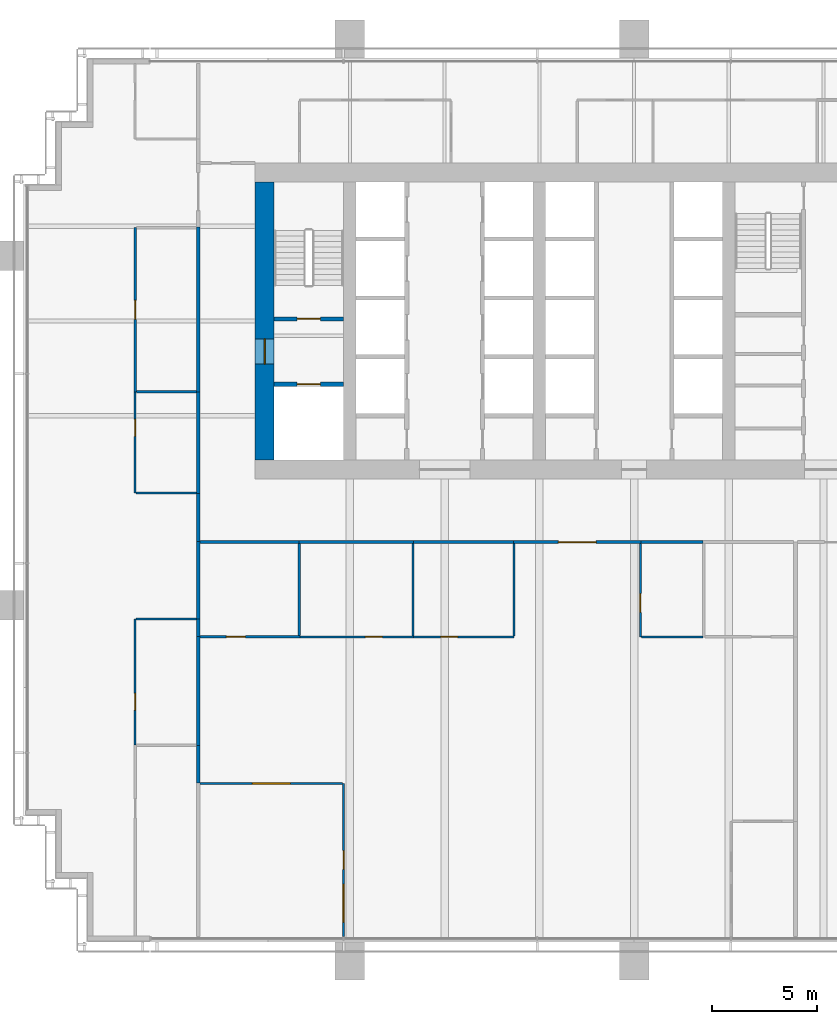
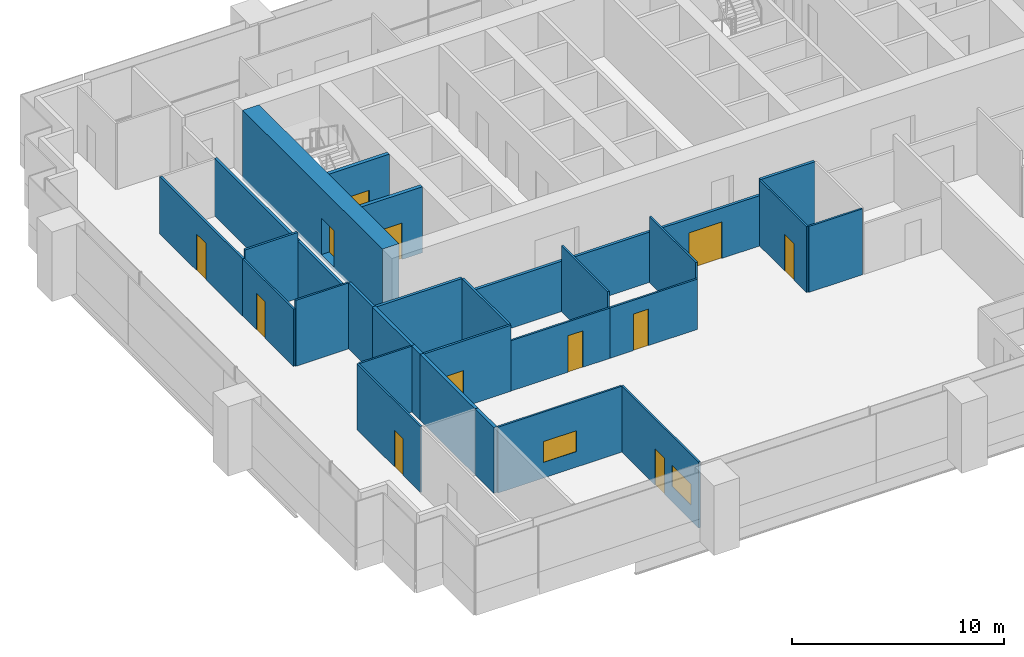
# One storey, part 10 of 18: 31 walls, 12 doors, 2 windows, 14 openings.
"""IFC4 building model written with IfcOpenShell, lengths in metres."""

import ifcopenshell
import ifcopenshell.guid

model = None  # the IFC model being written
_history = None  # IfcOwnerHistory: only IFC2X3 demands one
_inside = {}  # id of a spatial element -> (the spatial element, [elements in it])
_under = {}  # id of a project, library or spatial element -> (it, [spatial elements below it])
_declared = {}  # id of a project -> (the project, [libraries it declares])
_typed = {}  # id of a type object -> (the type object, [elements of that type])
_made_of = {}  # id of a material, layer set ... -> (it, [elements and type objects made of it])


def new_model(schema):
    """Start an empty IFC model of exactly this schema.

    Asked for "IFC4X3", IfcOpenShell would pick the latest addendum, in which some entities
    have other attributes; the version numbers below select the first issue.
    IFC2X3 requires an IfcOwnerHistory on every rooted entity: one is made here for all.
    """
    global model, _history
    if schema == "IFC4X3":
        model = ifcopenshell.file(schema_version=(4, 3, 0, 0))
    else:
        model = ifcopenshell.file(schema=schema)
    _inside.clear()
    _under.clear()
    _declared.clear()
    _typed.clear()
    _made_of.clear()
    _history = None
    if model.schema == "IFC2X3":
        org = make("IfcOrganization", Name="unknown")
        user = make(
            "IfcPersonAndOrganization",
            ThePerson=make("IfcPerson", FamilyName="unknown"),
            TheOrganization=org,
        )
        app = make(
            "IfcApplication",
            ApplicationDeveloper=org,
            Version="unknown",
            ApplicationFullName="unknown",
            ApplicationIdentifier="unknown",
        )
        _history = make(
            "IfcOwnerHistory",
            OwningUser=user,
            OwningApplication=app,
            ChangeAction="ADDED",
            CreationDate=0,
        )
    return model


def make(cls, **values):
    """One entity of the class cls with the attributes given. An attribute that is None is left unset."""
    return model.create_entity(
        cls, **{name: value for name, value in values.items() if value is not None}
    )


def rooted(cls, **values):
    """An entity with a GlobalId (a new one), such as an element, a storey or a relation."""
    return make(cls, GlobalId=ifcopenshell.guid.new(), OwnerHistory=_history, **values)


def si_unit(unit_type, name, prefix=None):
    """IfcSIUnit, for example si_unit("LENGTHUNIT", "METRE", prefix="MILLI")."""
    return make("IfcSIUnit", UnitType=unit_type, Prefix=prefix, Name=name)


def assignment(units):
    """IfcUnitAssignment: the units of a project."""
    return None if units is None else make("IfcUnitAssignment", Units=units)


def point(xyz):
    """IfcCartesianPoint."""
    return None if xyz is None else make("IfcCartesianPoint", Coordinates=xyz)


def direction(xyz):
    """IfcDirection."""
    return None if xyz is None else make("IfcDirection", DirectionRatios=xyz)


def frame(location, z_axis=None, x_axis=None):
    """IfcAxis2Placement3D, a coordinate frame: its origin and axes. An axis left out is left unset."""
    return make(
        "IfcAxis2Placement3D",
        Location=point(location),
        Axis=direction(z_axis),
        RefDirection=direction(x_axis),
    )


def frame_2d(location, x_axis=None):
    """IfcAxis2Placement2D, a coordinate frame in the plane: its origin and x axis."""
    return make(
        "IfcAxis2Placement2D", Location=point(location), RefDirection=direction(x_axis)
    )


def origin():
    """The frame at (0, 0, 0) with its axes left unset."""
    return frame((0.0, 0.0, 0.0))


def place(relative_to, where):
    """IfcLocalPlacement: puts the frame where relative to a parent placement (None: the world)."""
    return make(
        "IfcLocalPlacement", PlacementRelTo=relative_to, RelativePlacement=where
    )


def context(
    kind, dimensions, precision=None, world=None, true_north=None, identifier=None
):
    """IfcGeometricRepresentationContext, for example the 3D "Model" context."""
    return make(
        "IfcGeometricRepresentationContext",
        ContextIdentifier=identifier,
        ContextType=kind,
        CoordinateSpaceDimension=dimensions,
        Precision=precision,
        WorldCoordinateSystem=world,
        TrueNorth=true_north,
    )


def subcontext(parent, identifier, kind, view, scale=None):
    """IfcGeometricRepresentationSubContext, for example "Body" below "Model"."""
    return make(
        "IfcGeometricRepresentationSubContext",
        ContextIdentifier=identifier,
        ContextType=kind,
        ParentContext=parent,
        TargetScale=scale,
        TargetView=view,
    )


def project(units=None, contexts=None):
    """IfcProject with its units and contexts."""
    return rooted(
        "IfcProject",
        Name="project",
        RepresentationContexts=contexts,
        UnitsInContext=assignment(units),
    )


def spatial(cls, under=None, at=None, **own):
    """A site, building, storey or space (cls), placed at a placement, below another one or the project."""
    s = rooted(cls, ObjectPlacement=at, **own)
    if under is not None:
        _under.setdefault(under.id(), (under, []))[1].append(s)
    return s


def profile(cls, at=None, kind="AREA", **sizes):
    """A parametric profile (cls). Its sizes go by their IFC names, for example OverallWidth=200.0."""
    return make(cls, ProfileType=kind, Position=at, **sizes)


def rectangle(**sizes):
    """IfcRectangleProfileDef."""
    return profile("IfcRectangleProfileDef", **sizes)


def extrude(swept, where, along, depth):
    """IfcExtrudedAreaSolid: the profile swept, set in the frame where, extruded along a direction by depth."""
    return make(
        "IfcExtrudedAreaSolid",
        SweptArea=swept,
        Position=where,
        ExtrudedDirection=direction(along),
        Depth=depth,
    )


def shape(context_of_items, identifier, shape_type, items):
    """IfcShapeRepresentation: the items that make up one representation, for example the "Body"."""
    return make(
        "IfcShapeRepresentation",
        ContextOfItems=context_of_items,
        RepresentationIdentifier=identifier,
        RepresentationType=shape_type,
        Items=items,
    )


def material(Name=None, Category=None):
    """IfcMaterial."""
    return make("IfcMaterial", Name=Name, Category=Category)


def layer(
    of_material, thickness, ventilated=None, Name=None, Category=None, Priority=None
):
    """IfcMaterialLayer: one layer of a wall or slab, of a material (None: an air gap)."""
    return make(
        "IfcMaterialLayer",
        Material=of_material,
        LayerThickness=thickness,
        IsVentilated=ventilated,
        Name=Name,
        Category=Category,
        Priority=Priority,
    )


def layer_set(layers, Name=None):
    """IfcMaterialLayerSet."""
    return make("IfcMaterialLayerSet", MaterialLayers=layers, LayerSetName=Name)


def made_of(thing, what):
    """Note that an element or type object is made of a material, layer set ...; save() writes the relation."""
    if what is not None:
        _made_of.setdefault(what.id(), (what, []))[1].append(thing)
    return thing


def type_object(cls, material=None, **own):
    """A type object (cls), such as IfcWallType, which elements share."""
    return made_of(rooted(cls, **own), material)


def element(
    cls,
    number,
    at=None,
    inside=None,
    cuts=None,
    type_object=None,
    material=None,
    context=None,
    identifier="Body",
    shape_type=None,
    held_by="IfcProductDefinitionShape",
    body=None,
    shapes=None,
    **own,
):
    """One element of the class cls, such as IfcWall. Its Tag is "e" and its number.

    at: its placement. inside: the storey or other place that contains it. cuts: it is an
    opening in that element (IfcRelVoidsElement). A single representation is given by context,
    identifier, shape_type and body (its items); several are given by shapes. held_by: the class
    of the entity that holds the representations. save() writes the other relations.
    """
    e = rooted(cls, Tag="e%d" % number, ObjectPlacement=at, **own)
    if body is not None:
        shapes = [shape(context, identifier, shape_type, body)]
    if shapes is not None:
        e.Representation = make(held_by, Representations=shapes)
    if inside is not None:
        _inside.setdefault(inside.id(), (inside, []))[1].append(e)
    if cuts is not None:
        rooted(
            "IfcRelVoidsElement", RelatingBuildingElement=cuts, RelatedOpeningElement=e
        )
    if type_object is not None:
        _typed.setdefault(type_object.id(), (type_object, []))[1].append(e)
    return made_of(e, material)


def fill(opening, filler):
    """IfcRelFillsElement: the door or window that sits in an opening."""
    return rooted(
        "IfcRelFillsElement",
        RelatingOpeningElement=opening,
        RelatedBuildingElement=filler,
    )


def aggregate(whole, parts):
    """IfcRelAggregates: a whole, such as a stair, and the parts it consists of."""
    return rooted("IfcRelAggregates", RelatingObject=whole, RelatedObjects=parts)


def save(model, path):
    """Write the relations noted so far, then the file.

    IfcRelAggregates (storeys below a building ...), IfcRelContainedInSpatialStructure (elements
    in a storey), IfcRelDefinesByType, IfcRelAssociatesMaterial and IfcRelDeclares: one each for
    every whole, place, type object, material and project.
    """
    for whole, parts in _under.values():
        aggregate(whole, parts)
    for where, things in _inside.values():
        rooted(
            "IfcRelContainedInSpatialStructure",
            RelatedElements=things,
            RelatingStructure=where,
        )
    for kind, things in _typed.values():
        rooted("IfcRelDefinesByType", RelatedObjects=things, RelatingType=kind)
    for what, things in _made_of.values():
        rooted("IfcRelAssociatesMaterial", RelatedObjects=things, RelatingMaterial=what)
    for by, libraries in _declared.values():
        rooted("IfcRelDeclares", RelatingContext=by, RelatedDefinitions=libraries)
    model.write(path)


model = new_model("IFC4")

# Units and contexts
model_context = context("Model", 3, precision=1e-05, world=origin(), true_north=direction((0.0, 1.0)))
body_context = subcontext(model_context, "Body", "Model", "MODEL_VIEW")
ifc_project = project(units=[si_unit("LENGTHUNIT", "METRE"), si_unit("AREAUNIT", "SQUARE_METRE"), si_unit("VOLUMEUNIT", "CUBIC_METRE"), si_unit("PLANEANGLEUNIT", "RADIAN"), si_unit("MASSUNIT", "GRAM", prefix="KILO")], contexts=[model_context])

# Site, building, storey
site_placement = place(None, origin())
site = spatial("IfcSite", under=ifc_project, at=site_placement, CompositionType="ELEMENT")
building_placement = place(site_placement, origin())
building = spatial("IfcBuilding", under=site, at=building_placement, Name="Rattan Terrace Tower", CompositionType="ELEMENT")
storey_placement = place(building_placement, frame((0.0, 0.0, 134.10009765625)))
storey = spatial("IfcBuildingStorey", under=building, at=storey_placement, Name="L30", CompositionType="ELEMENT", Elevation=134.10009765625)

# Wall, opening, door
ifc_material_1 = material(Name="Gypsum board partition")
ifc_layer_1 = layer(ifc_material_1, 0.199951171875)
ifc_layer_set_1 = layer_set([ifc_layer_1], Name="Core partition 200")
wall_type_1 = type_object("IfcWallType", Name="Core partition 200", PredefinedType="PARTITIONING", material=ifc_layer_set_1)
wall_1_placement = place(storey_placement, frame((-17.10009765625, -3.0, 0.0), z_axis=(0.0, 0.0, 1.0), x_axis=(1.0, 0.0, 0.0)))
wall_1 = element("IfcWall", 1, at=wall_1_placement, inside=storey, type_object=wall_type_1, Name="Fire-fighting lobby wall", PredefinedType="PARTITIONING", context=body_context, shape_type="SweptSolid", body=[
    extrude(rectangle(XDim=3.300048828125, YDim=0.199951171875, at=frame_2d((1.64990234375, 0.0))), origin(), (0.0, 0.0, 1.0), 3.7998046875),
])
opening_1_placement = place(wall_1_placement, frame((1.10009765625, 0.0, 0.0)))
opening_1 = element("IfcOpeningElement", 2, at=opening_1_placement, cuts=wall_1, Name="Opening L30-LD-FF1", PredefinedType="OPENING", context=body_context, shape_type="SweptSolid", body=[
    extrude(rectangle(XDim=1.10009765625, YDim=2.10009765625, at=frame_2d((0.550048828125, 1.050048828125))), frame((0.0, 0.110595703125, 0.0), z_axis=(0.0, -1.0, 0.0), x_axis=(1.0, 0.0, 0.0)), (0.0, 0.0, 1.0), 0.220947265625),
])
ifc_material_2 = material(Name="Brushed stainless landing door panel")
door_type_1 = type_object("IfcDoorType", Name="Core lift landing door 1100", OperationType="DOUBLE_DOOR_SLIDING", PredefinedType="DOOR", material=ifc_material_2)
door_1_placement = place(opening_1_placement, origin())
door_1 = element("IfcDoor", 3, at=door_1_placement, inside=storey, type_object=door_type_1, Name="Door L30-LD-FF1", OperationType="DOUBLE_DOOR_SLIDING", OverallHeight=2.10009765625, OverallWidth=1.10009765625, PredefinedType="DOOR", context=body_context, shape_type="SweptSolid", body=[
    extrude(rectangle(XDim=1.10009765625, YDim=2.10009765625, at=frame_2d((0.550048828125, 1.050048828125))), frame((0.0, 0.02490234375, 0.0), z_axis=(0.0, -1.0, 0.0), x_axis=(1.0, 0.0, 0.0)), (0.0, 0.0, 1.0), 0.050048828125),
])
fill(opening_1, door_1)

wall_2_placement = place(storey_placement, frame((-17.10009765625, 0.10009765625, 0.0), z_axis=(0.0, 0.0, 1.0), x_axis=(1.0, 0.0, 0.0)))
wall_2 = element("IfcWall", 4, at=wall_2_placement, inside=storey, type_object=wall_type_1, Name="Stair enclosure wall", PredefinedType="PARTITIONING", context=body_context, shape_type="SweptSolid", body=[
    extrude(rectangle(XDim=3.300048828125, YDim=0.199951171875, at=frame_2d((1.64990234375, 0.0))), origin(), (0.0, 0.0, 1.0), 3.7998046875),
])
opening_2_placement = place(wall_2_placement, frame((1.10009765625, 0.0, 0.0)))
opening_2 = element("IfcOpeningElement", 5, at=opening_2_placement, cuts=wall_2, Name="Opening L30-D002", PredefinedType="OPENING", context=body_context, shape_type="SweptSolid", body=[
    extrude(rectangle(XDim=1.10009765625, YDim=2.10009765625, at=frame_2d((0.550048828125, 1.050048828125))), frame((0.0, 0.110595703125, 0.0), z_axis=(0.0, -1.0, 0.0), x_axis=(1.0, 0.0, 0.0)), (0.0, 0.0, 1.0), 0.220947265625),
])
ifc_material_3 = material(Name="Hollow-metal fire door leaf")
door_type_2 = type_object("IfcDoorType", Name="Core stair door 1100", OperationType="NOTDEFINED", PredefinedType="DOOR", material=ifc_material_3)
door_2_placement = place(opening_2_placement, origin())
door_2 = element("IfcDoor", 6, at=door_2_placement, inside=storey, type_object=door_type_2, Name="Door L30-D002", OperationType="SINGLE_SWING_RIGHT", OverallHeight=2.10009765625, OverallWidth=1.10009765625, PredefinedType="DOOR", context=body_context, shape_type="SweptSolid", body=[
    extrude(rectangle(XDim=1.10009765625, YDim=2.10009765625, at=frame_2d((0.550048828125, 1.050048828125))), frame((0.0, 0.02490234375, 0.0), z_axis=(0.0, -1.0, 0.0), x_axis=(1.0, 0.0, 0.0)), (0.0, 0.0, 1.0), 0.050048828125),
])
fill(opening_2, door_2)

ifc_material_4 = material(Name="Concrete C60/75", Category="concrete")
ifc_layer_2 = layer(ifc_material_4, 0.89990234375)
ifc_layer_set_2 = layer_set([ifc_layer_2], Name="Core ring wall 900 C60/75")
wall_type_2 = type_object("IfcWallType", Name="Core ring wall 900 C60/75", PredefinedType="SHEAR", material=ifc_layer_set_2)
wall_3_placement = place(storey_placement, frame((-17.550048828125, -6.60009765625, -0.2001953125), z_axis=(0.0, 0.0, 1.0), x_axis=(0.0, 1.0, 0.0)))
wall_3 = element("IfcWall", 7, at=wall_3_placement, inside=storey, type_object=wall_type_2, Name="Rear core wall west", PredefinedType="SHEAR", context=body_context, shape_type="SweptSolid", body=[
    extrude(rectangle(XDim=13.2001953125, YDim=0.89990234375, at=frame_2d((6.60009765625, 0.0))), origin(), (0.0, 0.0, 1.0), 4.0),
])
opening_3_placement = place(wall_3_placement, frame((4.550048828125, 0.0, 0.199951171875)))
opening_3 = element("IfcOpeningElement", 8, at=opening_3_placement, cuts=wall_3, Name="Opening L30-D001", PredefinedType="OPENING", context=body_context, shape_type="SweptSolid", body=[
    extrude(rectangle(XDim=1.199951171875, YDim=2.10009765625, at=frame_2d((0.60009765625, 1.050048828125))), frame((0.0, 0.46044921875, 0.0), z_axis=(0.0, -1.0, 0.0), x_axis=(1.0, 0.0, 0.0)), (0.0, 0.0, 1.0), 0.9208984375),
])
ifc_material_5 = material(Name="Hollow-metal fire door leaf")
door_type_3 = type_object("IfcDoorType", Name="Core fire-fighting lobby door 1200", OperationType="NOTDEFINED", PredefinedType="DOOR", material=ifc_material_5)
door_3_placement = place(opening_3_placement, origin())
door_3 = element("IfcDoor", 9, at=door_3_placement, inside=storey, type_object=door_type_3, Name="Door L30-D001", OperationType="SINGLE_SWING_LEFT", OverallHeight=2.10009765625, OverallWidth=1.199951171875, PredefinedType="DOOR", context=body_context, shape_type="SweptSolid", body=[
    extrude(rectangle(XDim=1.199951171875, YDim=2.10009765625, at=frame_2d((0.60009765625, 1.050048828125))), frame((0.0, 0.02490234375, 0.0), z_axis=(0.0, -1.0, 0.0), x_axis=(1.0, 0.0, 0.0)), (0.0, 0.0, 1.0), 0.050048828125),
])
fill(opening_3, door_3)

# Walls
ifc_material_6 = material(Name="Double steel stud acoustic partition, gypsum board, mineral wool, fire rated", Category="steel")
ifc_layer_3 = layer(ifc_material_6, 0.179931640625)
ifc_layer_set_3 = layer_set([ifc_layer_3], Name="Floors Acoustic Party Wall 180")
wall_type_3 = type_object("IfcWallType", Name="Floors Acoustic Party Wall 180", PredefinedType="PARTITIONING", material=ifc_layer_set_3)
wall_4_placement = place(storey_placement, frame((-20.699951171875, -10.47998046875, 0.0), z_axis=(0.0, 0.0, 1.0), x_axis=(0.0, -1.0, 0.0)))
element("IfcWall", 10, at=wall_4_placement, inside=storey, type_object=wall_type_3, Name="pt-L30-029", PredefinedType="PARTITIONING", context=body_context, shape_type="SweptSolid", body=[
    extrude(rectangle(XDim=3.679931640625, YDim=0.179931640625, at=frame_2d((1.83984375, 0.0))), origin(), (0.0, 0.0, 1.0), 3.7998046875),
])
wall_5_placement = place(storey_placement, frame((-20.699951171875, -20.159912109375, 0.0), z_axis=(0.0, 0.0, 1.0), x_axis=(0.0, -1.0, 0.0)))
element("IfcWall", 11, at=wall_5_placement, inside=storey, type_object=wall_type_3, Name="pt-L30-032", PredefinedType="PARTITIONING", context=body_context, shape_type="SweptSolid", body=[
    extrude(rectangle(XDim=1.780029296875, YDim=0.179931640625, at=frame_2d((0.89013671875, 0.0))), origin(), (0.0, 0.0, 1.0), 3.7998046875),
])
wall_6_placement = place(storey_placement, frame((-20.699951171875, -14.97998046875, 0.0), z_axis=(0.0, 0.0, 1.0), x_axis=(0.0, -1.0, 0.0)))
element("IfcWall", 12, at=wall_6_placement, inside=storey, type_object=wall_type_3, Name="pt-L30-034", PredefinedType="PARTITIONING", context=body_context, shape_type="SweptSolid", body=[
    extrude(rectangle(XDim=5.179931640625, YDim=0.179931640625, at=frame_2d((2.58984375, 0.0))), origin(), (0.0, 0.0, 1.0), 3.7998046875),
])
wall_7_placement = place(storey_placement, frame((-20.699951171875, -14.159912109375, 0.0), z_axis=(0.0, 0.0, 1.0), x_axis=(0.0, -1.0, 0.0)))
element("IfcWall", 13, at=wall_7_placement, inside=storey, type_object=wall_type_3, Name="pt-L30-035", PredefinedType="PARTITIONING", context=body_context, shape_type="SweptSolid", body=[
    extrude(rectangle(XDim=0.820068359375, YDim=0.179931640625, at=frame_2d((0.41015625, 0.0))), origin(), (0.0, 0.0, 1.0), 3.7998046875),
])

# Wall, opening, door
ifc_material_7 = material(Name="Gypsum board partition on steel studs", Category="steel")
ifc_layer_4 = layer(ifc_material_7, 0.10009765625)
ifc_layer_set_4 = layer_set([ifc_layer_4], Name="Floors Partition 100")
wall_type_4 = type_object("IfcWallType", Name="Floors Partition 100", PredefinedType="PARTITIONING", material=ifc_layer_set_4)
wall_8_placement = place(storey_placement, frame((-23.699951171875, -14.159912109375, 0.0), z_axis=(0.0, 0.0, 1.0), x_axis=(0.0, -1.0, 0.0)))
wall_8 = element("IfcWall", 14, at=wall_8_placement, inside=storey, type_object=wall_type_4, Name="pt-L30-021", PredefinedType="PARTITIONING", context=body_context, shape_type="SweptSolid", body=[
    extrude(rectangle(XDim=5.97998046875, YDim=0.10009765625, at=frame_2d((2.989990234375, 0.0))), origin(), (0.0, 0.0, 1.0), 3.7998046875),
])
opening_4_placement = place(wall_8_placement, frame((3.52587890625, 0.0, 0.0)))
opening_4 = element("IfcOpeningElement", 15, at=opening_4_placement, cuts=wall_8, Name="Opening L30-D102", PredefinedType="OPENING", context=body_context, shape_type="SweptSolid", body=[
    extrude(rectangle(XDim=0.800048828125, YDim=2.10009765625, at=frame_2d((0.39990234375, 1.050048828125))), frame((0.0, 0.060546875, 0.0), z_axis=(0.0, -1.0, 0.0), x_axis=(1.0, 0.0, 0.0)), (0.0, 0.0, 1.0), 0.12109375),
])
ifc_material_8 = material(Name="Solid core timber door, painted", Category="wood")
door_type_4 = type_object("IfcDoorType", Name="Floors Store Door 800x2100", OperationType="NOTDEFINED", PredefinedType="DOOR", material=ifc_material_8)
door_4_placement = place(opening_4_placement, origin())
door_4 = element("IfcDoor", 16, at=door_4_placement, inside=storey, type_object=door_type_4, Name="d-L30-102", OperationType="SINGLE_SWING_RIGHT", OverallHeight=2.10009765625, OverallWidth=0.800048828125, PredefinedType="DOOR", context=body_context, shape_type="SweptSolid", body=[
    extrude(rectangle(XDim=0.800048828125, YDim=2.10009765625, at=frame_2d((0.39990234375, 1.050048828125))), frame((0.0, 0.02490234375, 0.0), z_axis=(0.0, -1.0, 0.0), x_axis=(1.0, 0.0, 0.0)), (0.0, 0.0, 1.0), 0.050048828125),
])
fill(opening_4, door_4)

# Wall
wall_9_placement = place(storey_placement, frame((-20.7900390625, -14.159912109375, 0.0), z_axis=(0.0, 0.0, 1.0), x_axis=(-1.0, 0.0, 0.0)))
element("IfcWall", 17, at=wall_9_placement, inside=storey, type_object=wall_type_4, Name="pt-L30-022", PredefinedType="PARTITIONING", context=body_context, shape_type="SweptSolid", body=[
    extrude(rectangle(XDim=2.85986328125, YDim=0.10009765625, at=frame_2d((1.429931640625, 0.0))), origin(), (0.0, 0.0, 1.0), 3.7998046875),
])

# Wall, opening, door
wall_10_placement = place(storey_placement, frame((-23.699951171875, -3.3798828125, 0.0), z_axis=(0.0, 0.0, 1.0), x_axis=(0.0, -1.0, 0.0)))
wall_10 = element("IfcWall", 18, at=wall_10_placement, inside=storey, type_object=wall_type_4, Name="pt-L30-023", PredefinedType="PARTITIONING", context=body_context, shape_type="SweptSolid", body=[
    extrude(rectangle(XDim=4.780029296875, YDim=0.10009765625, at=frame_2d((2.39013671875, 0.0))), origin(), (0.0, 0.0, 1.0), 3.2998046875),
])
opening_5_placement = place(wall_10_placement, frame((1.2939453125, 0.0, 0.0)))
opening_5 = element("IfcOpeningElement", 19, at=opening_5_placement, cuts=wall_10, Name="Opening L30-D103", PredefinedType="OPENING", context=body_context, shape_type="SweptSolid", body=[
    extrude(rectangle(XDim=0.800048828125, YDim=2.10009765625, at=frame_2d((0.39990234375, 1.050048828125))), frame((0.0, 0.060546875, 0.0), z_axis=(0.0, -1.0, 0.0), x_axis=(1.0, 0.0, 0.0)), (0.0, 0.0, 1.0), 0.12109375),
])
door_5_placement = place(opening_5_placement, origin())
door_5 = element("IfcDoor", 20, at=door_5_placement, inside=storey, type_object=door_type_4, Name="d-L30-103", OperationType="SINGLE_SWING_LEFT", OverallHeight=2.10009765625, OverallWidth=0.800048828125, PredefinedType="DOOR", context=body_context, shape_type="SweptSolid", body=[
    extrude(rectangle(XDim=0.800048828125, YDim=2.10009765625, at=frame_2d((0.39990234375, 1.050048828125))), frame((0.0, 0.02490234375, 0.0), z_axis=(0.0, -1.0, 0.0), x_axis=(1.0, 0.0, 0.0)), (0.0, 0.0, 1.0), 0.050048828125),
])
fill(opening_5, door_5)

# Wall
wall_11_placement = place(storey_placement, frame((-23.64990234375, -8.159912109375, 0.0), z_axis=(0.0, 0.0, 1.0), x_axis=(1.0, 0.0, 0.0)))
element("IfcWall", 21, at=wall_11_placement, inside=storey, type_object=wall_type_4, Name="pt-L30-024", PredefinedType="PARTITIONING", context=body_context, shape_type="SweptSolid", body=[
    extrude(rectangle(XDim=2.875, YDim=0.10009765625, at=frame_2d((1.4375, 0.0))), origin(), (0.0, 0.0, 1.0), 3.7998046875),
])

# Wall, opening, window
wall_12_placement = place(storey_placement, frame((-13.85009765625, -21.9599609375, 0.0), z_axis=(0.0, 0.0, 1.0), x_axis=(-1.0, 0.0, 0.0)))
wall_12 = element("IfcWall", 22, at=wall_12_placement, inside=storey, type_object=wall_type_4, Name="pt-L30-040", PredefinedType="PARTITIONING", context=body_context, shape_type="SweptSolid", body=[
    extrude(rectangle(XDim=6.760009765625, YDim=0.10009765625, at=frame_2d((3.3798828125, 0.0))), origin(), (0.0, 0.0, 1.0), 3.7998046875),
])
opening_6_placement = place(wall_12_placement, frame((2.47998046875, 0.0, 0.89990234375)))
opening_6 = element("IfcOpeningElement", 23, at=opening_6_placement, cuts=wall_12, Name="Opening L30-W102", PredefinedType="OPENING", context=body_context, shape_type="SweptSolid", body=[
    extrude(rectangle(XDim=1.800048828125, YDim=1.199951171875, at=frame_2d((0.89990234375, 0.60009765625))), frame((0.0, 0.060546875, 0.0), z_axis=(0.0, -1.0, 0.0), x_axis=(1.0, 0.0, 0.0)), (0.0, 0.0, 1.0), 0.12109375),
])
ifc_material_9 = material(Name="Glass, clear, fixed in aluminium frame", Category="aluminium")
window_type = type_object("IfcWindowType", Name="Interior Vision Window 1800x1200", PartitioningType="SINGLE_PANEL", PredefinedType="WINDOW", material=ifc_material_9)
window_1_placement = place(opening_6_placement, origin())
window_1 = element("IfcWindow", 24, at=window_1_placement, inside=storey, type_object=window_type, Name="w-L30-102", OverallHeight=1.199951171875, OverallWidth=1.800048828125, PartitioningType="SINGLE_PANEL", PredefinedType="WINDOW", context=body_context, shape_type="SweptSolid", body=[
    extrude(rectangle(XDim=1.800048828125, YDim=1.199951171875, at=frame_2d((0.89990234375, 0.60009765625))), frame((0.0, 0.030029296875, 0.0), z_axis=(0.0, -1.0, 0.0), x_axis=(1.0, 0.0, 0.0)), (0.0, 0.0, 1.0), 0.06005859375),
])
fill(opening_6, window_1)

# Wall, openings, door, window
wall_13_placement = place(storey_placement, frame((-13.800048828125, -29.239990234375, 0.0), z_axis=(0.0, 0.0, 1.0), x_axis=(0.0, 1.0, 0.0)))
wall_13 = element("IfcWall", 25, at=wall_13_placement, inside=storey, type_object=wall_type_4, Name="pt-L30-041", PredefinedType="PARTITIONING", context=body_context, shape_type="SweptSolid", body=[
    extrude(rectangle(XDim=7.280029296875, YDim=0.10009765625, at=frame_2d((3.64013671875, 0.0))), origin(), (0.0, 0.0, 1.0), 3.7998046875),
])
opening_7_placement = place(wall_13_placement, frame((3.18994140625, 0.0, 0.0)))
opening_7 = element("IfcOpeningElement", 26, at=opening_7_placement, cuts=wall_13, Name="Opening L30-D108", PredefinedType="OPENING", context=body_context, shape_type="SweptSolid", body=[
    extrude(rectangle(XDim=0.89990234375, YDim=2.10009765625, at=frame_2d((0.449951171875, 1.050048828125))), frame((0.0, 0.060546875, 0.0), z_axis=(0.0, -1.0, 0.0), x_axis=(1.0, 0.0, 0.0)), (0.0, 0.0, 1.0), 0.12109375),
])
opening_8_placement = place(wall_13_placement, frame((0.695068359375, 0.0, 0.89990234375)))
opening_8 = element("IfcOpeningElement", 27, at=opening_8_placement, cuts=wall_13, Name="Opening L30-W103", PredefinedType="OPENING", context=body_context, shape_type="SweptSolid", body=[
    extrude(rectangle(XDim=1.800048828125, YDim=1.199951171875, at=frame_2d((0.89990234375, 0.60009765625))), frame((0.0, 0.060546875, 0.0), z_axis=(0.0, -1.0, 0.0), x_axis=(1.0, 0.0, 0.0)), (0.0, 0.0, 1.0), 0.12109375),
])
ifc_material_10 = material(Name="Solid core timber door, painted", Category="wood")
door_type_5 = type_object("IfcDoorType", Name="Floors Door 900x2100", OperationType="NOTDEFINED", PredefinedType="DOOR", material=ifc_material_10)
door_6_placement = place(opening_7_placement, origin())
door_6 = element("IfcDoor", 28, at=door_6_placement, inside=storey, type_object=door_type_5, Name="d-L30-108", OperationType="SINGLE_SWING_LEFT", OverallHeight=2.10009765625, OverallWidth=0.89990234375, PredefinedType="DOOR", context=body_context, shape_type="SweptSolid", body=[
    extrude(rectangle(XDim=0.89990234375, YDim=2.10009765625, at=frame_2d((0.449951171875, 1.050048828125))), frame((0.0, 0.02490234375, 0.0), z_axis=(0.0, -1.0, 0.0), x_axis=(1.0, 0.0, 0.0)), (0.0, 0.0, 1.0), 0.050048828125),
])
fill(opening_7, door_6)
window_2_placement = place(opening_8_placement, origin())
window_2 = element("IfcWindow", 29, at=window_2_placement, inside=storey, type_object=window_type, Name="w-L30-103", OverallHeight=1.199951171875, OverallWidth=1.800048828125, PartitioningType="SINGLE_PANEL", PredefinedType="WINDOW", context=body_context, shape_type="SweptSolid", body=[
    extrude(rectangle(XDim=1.800048828125, YDim=1.199951171875, at=frame_2d((0.89990234375, 0.60009765625))), frame((0.0, 0.030029296875, 0.0), z_axis=(0.0, -1.0, 0.0), x_axis=(1.0, 0.0, 0.0)), (0.0, 0.0, 1.0), 0.06005859375),
])
fill(opening_8, window_2)

# Wall, opening, door
wall_14_placement = place(storey_placement, frame((-15.8798828125, -15.0, 0.0), z_axis=(0.0, 0.0, 1.0), x_axis=(1.0, 0.0, 0.0)))
wall_14 = element("IfcWall", 30, at=wall_14_placement, inside=storey, type_object=wall_type_4, Name="pt-L30-043", PredefinedType="PARTITIONING", context=body_context, shape_type="SweptSolid", body=[
    extrude(rectangle(XDim=5.39990234375, YDim=0.10009765625, at=frame_2d((2.699951171875, 0.0))), origin(), (0.0, 0.0, 1.0), 2.89990234375),
])
opening_9_placement = place(wall_14_placement, frame((3.1201171875, 0.0, 0.0)))
opening_9 = element("IfcOpeningElement", 31, at=opening_9_placement, cuts=wall_14, Name="Opening L30-D110", PredefinedType="OPENING", context=body_context, shape_type="SweptSolid", body=[
    extrude(rectangle(XDim=0.800048828125, YDim=2.10009765625, at=frame_2d((0.39990234375, 1.050048828125))), frame((0.0, 0.060546875, 0.0), z_axis=(0.0, -1.0, 0.0), x_axis=(1.0, 0.0, 0.0)), (0.0, 0.0, 1.0), 0.12109375),
])
door_7_placement = place(opening_9_placement, origin())
door_7 = element("IfcDoor", 32, at=door_7_placement, inside=storey, type_object=door_type_4, Name="d-L30-110", OperationType="SINGLE_SWING_RIGHT", OverallHeight=2.10009765625, OverallWidth=0.800048828125, PredefinedType="DOOR", context=body_context, shape_type="SweptSolid", body=[
    extrude(rectangle(XDim=0.800048828125, YDim=2.10009765625, at=frame_2d((0.39990234375, 1.050048828125))), frame((0.0, 0.02490234375, 0.0), z_axis=(0.0, -1.0, 0.0), x_axis=(1.0, 0.0, 0.0)), (0.0, 0.0, 1.0), 0.050048828125),
])
fill(opening_9, door_7)

wall_15_placement = place(storey_placement, frame((-10.47998046875, -15.0, 0.0), z_axis=(0.0, 0.0, 1.0), x_axis=(1.0, 0.0, 0.0)))
wall_15 = element("IfcWall", 33, at=wall_15_placement, inside=storey, type_object=wall_type_4, Name="pt-L30-044", PredefinedType="PARTITIONING", context=body_context, shape_type="SweptSolid", body=[
    extrude(rectangle(XDim=4.780029296875, YDim=0.10009765625, at=frame_2d((2.39013671875, 0.0))), origin(), (0.0, 0.0, 1.0), 2.89990234375),
])
opening_10_placement = place(wall_15_placement, frame((1.2939453125, 0.0, 0.0)))
opening_10 = element("IfcOpeningElement", 34, at=opening_10_placement, cuts=wall_15, Name="Opening L30-D111", PredefinedType="OPENING", context=body_context, shape_type="SweptSolid", body=[
    extrude(rectangle(XDim=0.800048828125, YDim=2.10009765625, at=frame_2d((0.39990234375, 1.050048828125))), frame((0.0, 0.060546875, 0.0), z_axis=(0.0, -1.0, 0.0), x_axis=(1.0, 0.0, 0.0)), (0.0, 0.0, 1.0), 0.12109375),
])
door_8_placement = place(opening_10_placement, origin())
door_8 = element("IfcDoor", 35, at=door_8_placement, inside=storey, type_object=door_type_4, Name="d-L30-111", OperationType="SINGLE_SWING_LEFT", OverallHeight=2.10009765625, OverallWidth=0.800048828125, PredefinedType="DOOR", context=body_context, shape_type="SweptSolid", body=[
    extrude(rectangle(XDim=0.800048828125, YDim=2.10009765625, at=frame_2d((0.39990234375, 1.050048828125))), frame((0.0, 0.02490234375, 0.0), z_axis=(0.0, -1.0, 0.0), x_axis=(1.0, 0.0, 0.0)), (0.0, 0.0, 1.0), 0.050048828125),
])
fill(opening_10, door_8)

# Wall
wall_16_placement = place(storey_placement, frame((-5.699951171875, -14.949951171875, 0.0), z_axis=(0.0, 0.0, 1.0), x_axis=(0.0, 1.0, 0.0)))
element("IfcWall", 36, at=wall_16_placement, inside=storey, type_object=wall_type_4, Name="pt-L30-045", PredefinedType="PARTITIONING", context=body_context, shape_type="SweptSolid", body=[
    extrude(rectangle(XDim=4.375, YDim=0.10009765625, at=frame_2d((2.1875, 0.0))), origin(), (0.0, 0.0, 1.0), 3.7998046875),
])

# Wall, opening, door
wall_17_placement = place(storey_placement, frame((0.300048828125, -10.574951171875, 0.0), z_axis=(0.0, 0.0, 1.0), x_axis=(0.0, -1.0, 0.0)))
wall_17 = element("IfcWall", 37, at=wall_17_placement, inside=storey, type_object=wall_type_4, Name="pt-L30-046", PredefinedType="PARTITIONING", context=body_context, shape_type="SweptSolid", body=[
    extrude(rectangle(XDim=4.425048828125, YDim=0.10009765625, at=frame_2d((2.21240234375, 0.0))), origin(), (0.0, 0.0, 1.0), 3.7998046875),
])
opening_11_placement = place(wall_17_placement, frame((2.367919921875, 0.0, 0.0)))
opening_11 = element("IfcOpeningElement", 38, at=opening_11_placement, cuts=wall_17, Name="Opening L30-D112", PredefinedType="OPENING", context=body_context, shape_type="SweptSolid", body=[
    extrude(rectangle(XDim=0.89990234375, YDim=2.10009765625, at=frame_2d((0.449951171875, 1.050048828125))), frame((0.0, 0.060546875, 0.0), z_axis=(0.0, -1.0, 0.0), x_axis=(1.0, 0.0, 0.0)), (0.0, 0.0, 1.0), 0.12109375),
])
door_9_placement = place(opening_11_placement, origin())
door_9 = element("IfcDoor", 39, at=door_9_placement, inside=storey, type_object=door_type_5, Name="d-L30-112", OperationType="SINGLE_SWING_RIGHT", OverallHeight=2.10009765625, OverallWidth=0.89990234375, PredefinedType="DOOR", context=body_context, shape_type="SweptSolid", body=[
    extrude(rectangle(XDim=0.89990234375, YDim=2.10009765625, at=frame_2d((0.449951171875, 1.050048828125))), frame((0.0, 0.02490234375, 0.0), z_axis=(0.0, -1.0, 0.0), x_axis=(1.0, 0.0, 0.0)), (0.0, 0.0, 1.0), 0.050048828125),
])
fill(opening_11, door_9)

# Walls
wall_18_placement = place(storey_placement, frame((0.35009765625, -15.0, 0.0), z_axis=(0.0, 0.0, 1.0), x_axis=(1.0, 0.0, 0.0)))
element("IfcWall", 40, at=wall_18_placement, inside=storey, type_object=wall_type_4, Name="pt-L30-047", PredefinedType="PARTITIONING", context=body_context, shape_type="SweptSolid", body=[
    extrude(rectangle(XDim=2.929931640625, YDim=0.10009765625, at=frame_2d((1.46484375, 0.0))), origin(), (0.0, 0.0, 1.0), 3.7998046875),
])
wall_19_placement = place(storey_placement, frame((-10.5, -10.574951171875, 0.0), z_axis=(0.0, 0.0, 1.0), x_axis=(0.0, -1.0, 0.0)))
element("IfcWall", 41, at=wall_19_placement, inside=storey, type_object=wall_type_4, Name="pt-L30-052", PredefinedType="PARTITIONING", context=body_context, shape_type="SweptSolid", body=[
    extrude(rectangle(XDim=4.375, YDim=0.10009765625, at=frame_2d((2.1875, 0.0))), origin(), (0.0, 0.0, 1.0), 3.7998046875),
])
ifc_material_11 = material(Name="Gypsum board partition on steel studs, fire rated", Category="steel")
ifc_layer_5 = layer(ifc_material_11, 0.14990234375)
ifc_layer_set_5 = layer_set([ifc_layer_5], Name="Floors Tenancy Wall 150")
wall_type_5 = type_object("IfcWallType", Name="Floors Tenancy Wall 150", PredefinedType="PARTITIONING", material=ifc_layer_set_5)
wall_20_placement = place(storey_placement, frame((-20.699951171875, -10.47998046875, 0.0), z_axis=(0.0, 0.0, 1.0), x_axis=(0.0, 1.0, 0.0)))
element("IfcWall", 42, at=wall_20_placement, inside=storey, type_object=wall_type_5, Name="pt-L30-001", PredefinedType="PARTITIONING", context=body_context, shape_type="SweptSolid", body=[
    extrude(rectangle(XDim=2.300048828125, YDim=0.14990234375, at=frame_2d((1.14990234375, 0.0))), origin(), (0.0, 0.0, 1.0), 3.7998046875),
])
wall_21_placement = place(storey_placement, frame((-20.699951171875, -8.179931640625, 0.0), z_axis=(0.0, 0.0, 1.0), x_axis=(0.0, 1.0, 0.0)))
element("IfcWall", 43, at=wall_21_placement, inside=storey, type_object=wall_type_5, Name="pt-L30-003", PredefinedType="PARTITIONING", context=body_context, shape_type="SweptSolid", body=[
    extrude(rectangle(XDim=4.800048828125, YDim=0.14990234375, at=frame_2d((2.39990234375, 0.0))), origin(), (0.0, 0.0, 1.0), 3.2998046875),
])
wall_22_placement = place(storey_placement, frame((-20.699951171875, -3.3798828125, 0.0), z_axis=(0.0, 0.0, 1.0), x_axis=(0.0, 1.0, 0.0)))
element("IfcWall", 44, at=wall_22_placement, inside=storey, type_object=wall_type_5, Name="pt-L30-004", PredefinedType="PARTITIONING", context=body_context, shape_type="SweptSolid", body=[
    extrude(rectangle(XDim=7.83984375, YDim=0.14990234375, at=frame_2d((3.919921875, 0.0))), origin(), (0.0, 0.0, 1.0), 3.2998046875),
])

# Wall, opening, door
wall_23_placement = place(storey_placement, frame((0.320068359375, -10.5, 0.0), z_axis=(0.0, 0.0, 1.0), x_axis=(-1.0, 0.0, 0.0)))
wall_23 = element("IfcWall", 45, at=wall_23_placement, inside=storey, type_object=wall_type_5, Name="pt-L30-005", PredefinedType="PARTITIONING", context=body_context, shape_type="SweptSolid", body=[
    extrude(rectangle(XDim=6.0400390625, YDim=0.14990234375, at=frame_2d((3.02001953125, 0.0))), origin(), (0.0, 0.0, 1.0), 2.89990234375),
])
opening_12_placement = place(wall_23_placement, frame((2.1201171875, 0.0, 0.0)))
opening_12 = element("IfcOpeningElement", 46, at=opening_12_placement, cuts=wall_23, Name="Opening L30-D106", PredefinedType="OPENING", context=body_context, shape_type="SweptSolid", body=[
    extrude(rectangle(XDim=1.800048828125, YDim=2.10009765625, at=frame_2d((0.89990234375, 1.050048828125))), frame((0.0, 0.08544921875, 0.0), z_axis=(0.0, -1.0, 0.0), x_axis=(1.0, 0.0, 0.0)), (0.0, 0.0, 1.0), 0.1708984375),
])
ifc_material_12 = material(Name="Steel fire door set", Category="steel")
door_type_6 = type_object("IfcDoorType", Name="Floors Fire Door Pair FD30S 1800x2100", OperationType="NOTDEFINED", PredefinedType="DOOR", material=ifc_material_12)
door_10_placement = place(opening_12_placement, origin())
door_10 = element("IfcDoor", 47, at=door_10_placement, inside=storey, type_object=door_type_6, Name="d-L30-106", OperationType="DOUBLE_DOOR_SINGLE_SWING", OverallHeight=2.10009765625, OverallWidth=1.800048828125, PredefinedType="DOOR", context=body_context, shape_type="SweptSolid", body=[
    extrude(rectangle(XDim=1.800048828125, YDim=2.10009765625, at=frame_2d((0.89990234375, 1.050048828125))), frame((0.0, 0.02490234375, 0.0), z_axis=(0.0, -1.0, 0.0), x_axis=(1.0, 0.0, 0.0)), (0.0, 0.0, 1.0), 0.050048828125),
])
fill(opening_12, door_10)

# Walls
wall_24_placement = place(storey_placement, frame((-15.919921875, -10.5, 0.0), z_axis=(0.0, 0.0, 1.0), x_axis=(-1.0, 0.0, 0.0)))
element("IfcWall", 48, at=wall_24_placement, inside=storey, type_object=wall_type_5, Name="pt-L30-006", PredefinedType="PARTITIONING", context=body_context, shape_type="SweptSolid", body=[
    extrude(rectangle(XDim=4.690185546875, YDim=0.14990234375, at=frame_2d((2.34521484375, 0.0))), origin(), (0.0, 0.0, 1.0), 3.7998046875),
])
wall_25_placement = place(storey_placement, frame((-10.47998046875, -10.5, 0.0), z_axis=(0.0, 0.0, 1.0), x_axis=(-1.0, 0.0, 0.0)))
element("IfcWall", 49, at=wall_25_placement, inside=storey, type_object=wall_type_5, Name="pt-L30-007", PredefinedType="PARTITIONING", context=body_context, shape_type="SweptSolid", body=[
    extrude(rectangle(XDim=5.43994140625, YDim=0.14990234375, at=frame_2d((2.719970703125, 0.0))), origin(), (0.0, 0.0, 1.0), 2.89990234375),
])
wall_26_placement = place(storey_placement, frame((-5.719970703125, -10.5, 0.0), z_axis=(0.0, 0.0, 1.0), x_axis=(-1.0, 0.0, 0.0)))
element("IfcWall", 50, at=wall_26_placement, inside=storey, type_object=wall_type_5, Name="pt-L30-008", PredefinedType="PARTITIONING", context=body_context, shape_type="SweptSolid", body=[
    extrude(rectangle(XDim=4.760009765625, YDim=0.14990234375, at=frame_2d((2.3798828125, 0.0))), origin(), (0.0, 0.0, 1.0), 2.89990234375),
])
wall_27_placement = place(storey_placement, frame((3.280029296875, -10.5, 0.0), z_axis=(0.0, 0.0, 1.0), x_axis=(-1.0, 0.0, 0.0)))
element("IfcWall", 51, at=wall_27_placement, inside=storey, type_object=wall_type_5, Name="pt-L30-009", PredefinedType="PARTITIONING", context=body_context, shape_type="SweptSolid", body=[
    extrude(rectangle(XDim=2.9599609375, YDim=0.14990234375, at=frame_2d((1.47998046875, 0.0))), origin(), (0.0, 0.0, 1.0), 3.7998046875),
])

# Wall, opening, door
ifc_material_13 = material(Name="Moisture resistant gypsum board partition on steel studs with service cavity", Category="steel")
ifc_layer_6 = layer(ifc_material_13, 0.1201171875)
ifc_layer_set_6 = layer_set([ifc_layer_6], Name="Floors Wet Wall 120")
wall_type_6 = type_object("IfcWallType", Name="Floors Wet Wall 120", PredefinedType="PARTITIONING", material=ifc_layer_set_6)
wall_28_placement = place(storey_placement, frame((-23.699951171875, 4.43994140625, 0.0), z_axis=(0.0, 0.0, 1.0), x_axis=(0.0, -1.0, 0.0)))
wall_28 = element("IfcWall", 52, at=wall_28_placement, inside=storey, type_object=wall_type_6, Name="pt-L30-025", PredefinedType="PARTITIONING", context=body_context, shape_type="SweptSolid", body=[
    extrude(rectangle(XDim=7.81982421875, YDim=0.1201171875, at=frame_2d((3.909912109375, 0.0))), origin(), (0.0, 0.0, 1.0), 3.2998046875),
])
opening_13_placement = place(wall_28_placement, frame((3.4599609375, 0.0, 0.0)))
opening_13 = element("IfcOpeningElement", 53, at=opening_13_placement, cuts=wall_28, Name="Opening L30-D104", PredefinedType="OPENING", context=body_context, shape_type="SweptSolid", body=[
    extrude(rectangle(XDim=0.89990234375, YDim=2.10009765625, at=frame_2d((0.449951171875, 1.050048828125))), frame((0.0, 0.070556640625, 0.0), z_axis=(0.0, -1.0, 0.0), x_axis=(1.0, 0.0, 0.0)), (0.0, 0.0, 1.0), 0.14111328125),
])
door_11_placement = place(opening_13_placement, origin())
door_11 = element("IfcDoor", 54, at=door_11_placement, inside=storey, type_object=door_type_5, Name="d-L30-104", OperationType="SINGLE_SWING_LEFT", OverallHeight=2.10009765625, OverallWidth=0.89990234375, PredefinedType="DOOR", context=body_context, shape_type="SweptSolid", body=[
    extrude(rectangle(XDim=0.89990234375, YDim=2.10009765625, at=frame_2d((0.449951171875, 1.050048828125))), frame((0.0, 0.02490234375, 0.0), z_axis=(0.0, -1.0, 0.0), x_axis=(1.0, 0.0, 0.0)), (0.0, 0.0, 1.0), 0.050048828125),
])
fill(opening_13, door_11)

# Wall
wall_29_placement = place(storey_placement, frame((-23.639892578125, -3.360107421875, 0.0), z_axis=(0.0, 0.0, 1.0), x_axis=(1.0, 0.0, 0.0)))
element("IfcWall", 55, at=wall_29_placement, inside=storey, type_object=wall_type_6, Name="pt-L30-036", PredefinedType="PARTITIONING", context=body_context, shape_type="SweptSolid", body=[
    extrude(rectangle(XDim=2.864990234375, YDim=0.1201171875, at=frame_2d((1.4326171875, 0.0))), origin(), (0.0, 0.0, 1.0), 3.7998046875),
])

# Wall, opening, door
wall_30_placement = place(storey_placement, frame((-20.610107421875, -15.0, 0.0), z_axis=(0.0, 0.0, 1.0), x_axis=(1.0, 0.0, 0.0)))
wall_30 = element("IfcWall", 56, at=wall_30_placement, inside=storey, type_object=wall_type_6, Name="pt-L30-042", PredefinedType="PARTITIONING", context=body_context, shape_type="SweptSolid", body=[
    extrude(rectangle(XDim=4.730224609375, YDim=0.1201171875, at=frame_2d((2.365234375, 0.0))), origin(), (0.0, 0.0, 1.0), 3.7998046875),
])
opening_14_placement = place(wall_30_placement, frame((1.2490234375, 0.0, 0.0)))
opening_14 = element("IfcOpeningElement", 57, at=opening_14_placement, cuts=wall_30, Name="Opening L30-D109", PredefinedType="OPENING", context=body_context, shape_type="SweptSolid", body=[
    extrude(rectangle(XDim=0.89990234375, YDim=2.10009765625, at=frame_2d((0.449951171875, 1.050048828125))), frame((0.0, 0.070556640625, 0.0), z_axis=(0.0, -1.0, 0.0), x_axis=(1.0, 0.0, 0.0)), (0.0, 0.0, 1.0), 0.14111328125),
])
door_12_placement = place(opening_14_placement, origin())
door_12 = element("IfcDoor", 58, at=door_12_placement, inside=storey, type_object=door_type_5, Name="d-L30-109", OperationType="SINGLE_SWING_LEFT", OverallHeight=2.10009765625, OverallWidth=0.89990234375, PredefinedType="DOOR", context=body_context, shape_type="SweptSolid", body=[
    extrude(rectangle(XDim=0.89990234375, YDim=2.10009765625, at=frame_2d((0.449951171875, 1.050048828125))), frame((0.0, 0.02490234375, 0.0), z_axis=(0.0, -1.0, 0.0), x_axis=(1.0, 0.0, 0.0)), (0.0, 0.0, 1.0), 0.050048828125),
])
fill(opening_14, door_12)

# Wall
wall_31_placement = place(storey_placement, frame((-15.89990234375, -10.574951171875, 0.0), z_axis=(0.0, 0.0, 1.0), x_axis=(0.0, -1.0, 0.0)))
element("IfcWall", 59, at=wall_31_placement, inside=storey, type_object=wall_type_6, Name="pt-L30-051", PredefinedType="PARTITIONING", context=body_context, shape_type="SweptSolid", body=[
    extrude(rectangle(XDim=4.364990234375, YDim=0.1201171875, at=frame_2d((2.1826171875, 0.0))), origin(), (0.0, 0.0, 1.0), 3.7998046875),
])

save(model, "model.ifc")
